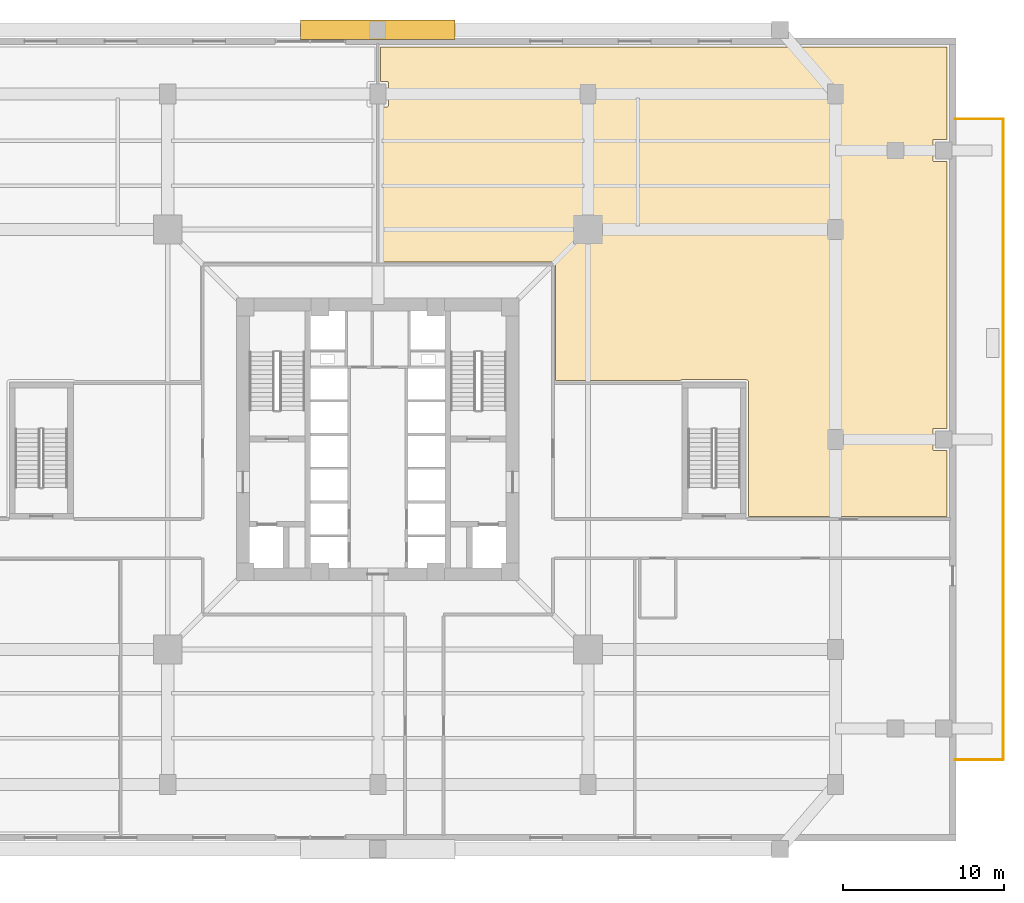
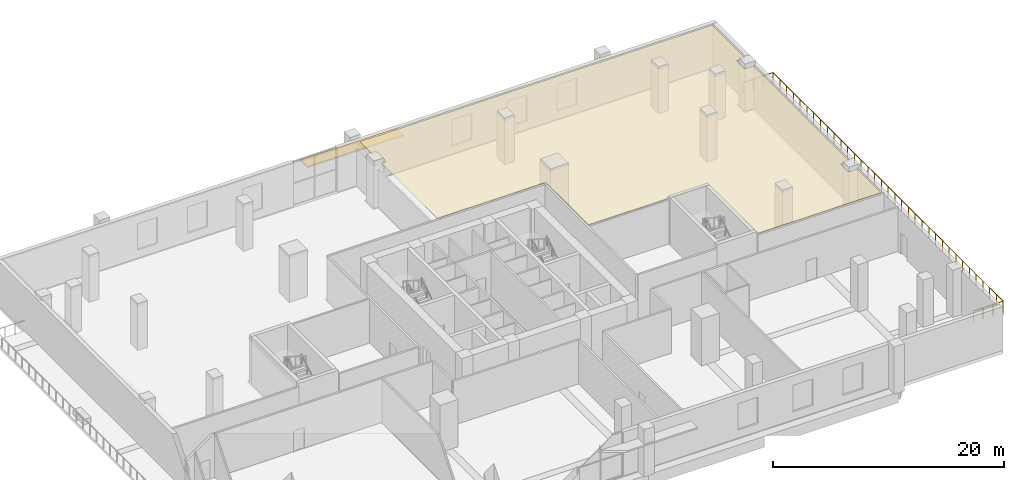
# One storey, part 15 of 15: 3 railings, 1 covering, 1 shading device.
"""IFC4 building model written with IfcOpenShell, lengths in metres."""

from ifc_helpers import new_model, si_unit, direction, frame, origin, origin_2d, place, context, subcontext, project, spatial, polyline, rectangle, circle, outline, extrude, source, transform, mapped, material, layer, layer_set, type_object, element, save


model = new_model("IFC4")

# Units and contexts
model_context = context("Model", 3, precision=1e-05, world=origin(), true_north=direction((0.0, 1.0)))
body_context = subcontext(model_context, "Body", "Model", "MODEL_VIEW")
ifc_project = project(units=[si_unit("LENGTHUNIT", "METRE"), si_unit("AREAUNIT", "SQUARE_METRE"), si_unit("VOLUMEUNIT", "CUBIC_METRE"), si_unit("PLANEANGLEUNIT", "RADIAN"), si_unit("MASSUNIT", "GRAM", prefix="KILO"), si_unit("THERMODYNAMICTEMPERATUREUNIT", "KELVIN")], contexts=[model_context])

# Site, building, storey
site_placement = place(None, origin())
site = spatial("IfcSite", under=ifc_project, at=site_placement, CompositionType="ELEMENT")
building_placement = place(site_placement, origin())
building = spatial("IfcBuilding", under=site, at=building_placement, Name="Kosmvard Interchange Tower", CompositionType="ELEMENT")
storey_placement = place(building_placement, frame((0.0, 0.0, 11.0)))
storey = spatial("IfcBuildingStorey", under=building, at=storey_placement, Name="L02", CompositionType="ELEMENT", Elevation=11.0)

# Covering
ifc_material_1 = material(Name="Acoustic gypsum ceiling tile")
ifc_layer_1 = layer(ifc_material_1, 0.02490234375, Name="Acoustic gypsum ceiling tile")
ifc_layer_set_1 = layer_set([ifc_layer_1], Name="Acoustic gypsum ceiling tile")
covering_type = type_object("IfcCoveringType", Name="Acoustic Perforated Suspended Ceiling 25", PredefinedType="CEILING", material=ifc_layer_set_1)
covering_placement = place(storey_placement, frame((0.0, 0.0, 4.635009765625)))
element("IfcCovering", 1, at=covering_placement, inside=storey, type_object=covering_type, Name="L02 Acoustic Ceiling L02-LNGP", PredefinedType="CEILING", context=body_context, shape_type="SweptSolid", body=[
    extrude(outline(polyline([(18.841796875, 3.659912109375), (18.8427734375, 3.661376953125), (18.84765625, 3.666748046875), (18.853271484375, 3.67236328125), (18.858642578125, 3.67724609375), (18.86474609375, 3.68212890625), (18.87060546875, 3.6865234375), (18.877197265625, 3.69091796875), (18.883544921875, 3.69482421875), (18.890380859375, 3.698486328125), (18.89697265625, 3.70166015625), (18.904296875, 3.70458984375), (18.911376953125, 3.70703125), (18.918701171875, 3.70947265625), (18.926025390625, 3.711181640625), (18.93359375, 3.712646484375), (18.94091796875, 3.7138671875), (18.94873046875, 3.714599609375), (18.9560546875, 3.71484375), (18.9599609375, 3.715087890625), (22.93994140625, 3.715087890625), (22.94384765625, 3.71484375), (22.951171875, 3.714599609375), (22.958984375, 3.7138671875), (22.96630859375, 3.712646484375), (22.97412109375, 3.711181640625), (22.981201171875, 3.70947265625), (22.98876953125, 3.70703125), (22.99560546875, 3.70458984375), (23.0029296875, 3.70166015625), (23.009521484375, 3.698486328125), (23.016357421875, 3.69482421875), (23.022705078125, 3.69091796875), (23.029296875, 3.6865234375), (23.03515625, 3.68212890625), (23.041259765625, 3.67724609375), (23.046875, 3.67236328125), (23.05224609375, 3.666748046875), (23.05712890625, 3.661376953125), (23.062255859375, 3.6552734375), (23.066650390625, 3.6494140625), (23.071044921875, 3.642822265625), (23.07470703125, 3.636474609375), (23.078369140625, 3.629638671875), (23.08154296875, 3.623046875), (23.084716796875, 3.61572265625), (23.087158203125, 3.608642578125), (23.08935546875, 3.601318359375), (23.091064453125, 3.593994140625), (23.0927734375, 3.58642578125), (23.09375, 3.5791015625), (23.094482421875, 3.5712890625), (23.094970703125, 3.56396484375), (23.094970703125, 3.56005859375), (23.094970703125, -4.804931640625), (35.445068359375, -4.804931640625), (35.445068359375, -0.68505859375), (34.64501953125, -0.68505859375), (34.63720703125, -0.6845703125), (34.62939453125, -0.683349609375), (34.621826171875, -0.681640625), (34.614501953125, -0.678955078125), (34.607177734375, -0.675537109375), (34.6005859375, -0.671630859375), (34.59423828125, -0.666748046875), (34.58837890625, -0.66162109375), (34.583251953125, -0.65576171875), (34.578369140625, -0.6494140625), (34.574462890625, -0.642822265625), (34.571044921875, -0.635498046875), (34.568359375, -0.628173828125), (34.566650390625, -0.62060546875), (34.5654296875, -0.61279296875), (34.56494140625, -0.60498046875), (34.56494140625, 0.60498046875), (34.5654296875, 0.61279296875), (34.566650390625, 0.62060546875), (34.568359375, 0.628173828125), (34.571044921875, 0.635498046875), (34.574462890625, 0.642822265625), (34.578369140625, 0.6494140625), (34.583251953125, 0.65576171875), (34.58837890625, 0.66162109375), (34.59423828125, 0.666748046875), (34.6005859375, 0.671630859375), (34.607177734375, 0.675537109375), (34.614501953125, 0.678955078125), (34.621826171875, 0.681640625), (34.62939453125, 0.683349609375), (34.63720703125, 0.6845703125), (34.64501953125, 0.68505859375), (35.445068359375, 0.68505859375), (35.445068359375, 17.31494140625), (34.64501953125, 17.31494140625), (34.63720703125, 17.3154296875), (34.62939453125, 17.316650390625), (34.621826171875, 17.318359375), (34.614501953125, 17.321044921875), (34.607177734375, 17.324462890625), (34.6005859375, 17.328369140625), (34.59423828125, 17.333251953125), (34.58837890625, 17.33837890625), (34.583251953125, 17.34423828125), (34.578369140625, 17.3505859375), (34.574462890625, 17.357177734375), (34.571044921875, 17.364501953125), (34.568359375, 17.371826171875), (34.566650390625, 17.37939453125), (34.5654296875, 17.38720703125), (34.56494140625, 17.39501953125), (34.56494140625, 18.60498046875), (34.5654296875, 18.61279296875), (34.566650390625, 18.62060546875), (34.568359375, 18.628173828125), (34.571044921875, 18.635498046875), (34.574462890625, 18.642822265625), (34.578369140625, 18.6494140625), (34.583251953125, 18.65576171875), (34.58837890625, 18.66162109375), (34.59423828125, 18.666748046875), (34.6005859375, 18.671630859375), (34.607177734375, 18.675537109375), (34.614501953125, 18.678955078125), (34.621826171875, 18.681640625), (34.62939453125, 18.683349609375), (34.63720703125, 18.6845703125), (34.64501953125, 18.68505859375), (35.445068359375, 18.68505859375), (35.445068359375, 24.445068359375), (0.159912109375, 24.445068359375), (0.159912109375, 22.284912109375), (0.580078125, 22.284912109375), (0.587890625, 22.28466796875), (0.595703125, 22.283447265625), (0.603271484375, 22.281494140625), (0.610595703125, 22.27880859375), (0.61767578125, 22.275634765625), (0.62451171875, 22.271484375), (0.630859375, 22.266845703125), (0.636474609375, 22.261474609375), (0.641845703125, 22.255859375), (0.646484375, 22.24951171875), (0.650634765625, 22.24267578125), (0.65380859375, 22.235595703125), (0.656494140625, 22.228271484375), (0.658447265625, 22.220703125), (0.65966796875, 22.212890625), (0.659912109375, 22.205078125), (0.659912109375, 20.794921875), (0.65966796875, 20.787109375), (0.658447265625, 20.779296875), (0.656494140625, 20.771728515625), (0.65380859375, 20.764404296875), (0.650634765625, 20.75732421875), (0.646484375, 20.75048828125), (0.641845703125, 20.744140625), (0.636474609375, 20.738525390625), (0.630859375, 20.733154296875), (0.62451171875, 20.728515625), (0.61767578125, 20.724365234375), (0.610595703125, 20.72119140625), (0.603271484375, 20.718505859375), (0.595703125, 20.716552734375), (0.587890625, 20.71533203125), (0.580078125, 20.715087890625), (0.159912109375, 20.715087890625), (0.159912109375, 11.054931640625), (10.89990234375, 11.054931640625), (10.90380859375, 11.054931640625), (10.911376953125, 11.054443359375), (10.919189453125, 11.0537109375), (10.92626953125, 11.052734375), (10.93408203125, 11.05126953125), (10.941162109375, 11.04931640625), (10.94873046875, 11.047119140625), (10.95556640625, 11.044677734375), (10.962890625, 11.04150390625), (10.969482421875, 11.038330078125), (10.976318359375, 11.034912109375), (10.982666015625, 11.031005859375), (10.9892578125, 11.026611328125), (10.9951171875, 11.022216796875), (11.00146484375, 11.01708984375), (11.0068359375, 11.01220703125), (11.01220703125, 11.0068359375), (11.01708984375, 11.00146484375), (11.022216796875, 10.9951171875), (11.026611328125, 10.9892578125), (11.031005859375, 10.982666015625), (11.034912109375, 10.976318359375), (11.038330078125, 10.969482421875), (11.04150390625, 10.962890625), (11.044677734375, 10.95556640625), (11.047119140625, 10.94873046875), (11.04931640625, 10.941162109375), (11.05126953125, 10.93408203125), (11.052734375, 10.92626953125), (11.0537109375, 10.919189453125), (11.054443359375, 10.911376953125), (11.054931640625, 10.90380859375), (11.054931640625, 10.89990234375), (11.054931640625, 3.659912109375), (18.841796875, 3.659912109375)])), origin(), (0.0, 0.0, 1.0), 0.02490234375),
])

# Railings
ifc_material_2 = material(Name="Steel S355", Category="steel")
railing_type = type_object("IfcRailingType", Name="Observation & Balcony Glass-Infill Balustrade 1150", PredefinedType="BALUSTRADE", material=ifc_material_2)
shared_shape_1 = source(origin(), body_context, "Body", "SweptSolid", [
    extrude(circle(Radius=0.02392578125, at=origin_2d()), frame((0.0, 0.0, 1.1259765625), z_axis=(-1.0, 0.0, 0.0), x_axis=(0.0, -1.0, 0.0)), (0.0, 0.0, 1.0), 3.0),
    extrude(circle(Radius=0.02099609375, at=origin_2d()), origin(), (0.0, 0.0, 1.0), 1.101806640625),
    extrude(circle(Radius=0.02099609375, at=origin_2d()), frame((-1.0, 0.0, 0.0)), (0.0, 0.0, 1.0), 1.101806640625),
    extrude(circle(Radius=0.02099609375, at=origin_2d()), frame((-2.0, 0.0, 0.0)), (0.0, 0.0, 1.0), 1.101806640625),
    extrude(circle(Radius=0.02099609375, at=origin_2d()), frame((-3.0, 0.0, 0.0)), (0.0, 0.0, 1.0), 1.101806640625),
])
railing_1_placement = place(storey_placement, frame((38.949951171875, 19.949951171875, 0.0)))
element("IfcRailing", 2, at=railing_1_placement, inside=storey, type_object=railing_type, Name="L02 Outdoor Terrace Guard TER-L02-E-C", PredefinedType="BALUSTRADE", context=body_context, shape_type="MappedRepresentation", body=[
    mapped(shared_shape_1, transform((0.0, 0.0, 0.0), scale=1.0)),
])
shared_shape_2 = source(origin(), body_context, "Body", "SweptSolid", [
    extrude(circle(Radius=0.02392578125, at=origin_2d()), frame((0.0, 0.0, 1.1259765625), z_axis=(1.0, 0.0, 0.0), x_axis=(0.0, 1.0, 0.0)), (0.0, 0.0, 1.0), 3.0),
    extrude(circle(Radius=0.02099609375, at=origin_2d()), origin(), (0.0, 0.0, 1.0), 1.101806640625),
    extrude(circle(Radius=0.02099609375, at=origin_2d()), frame((1.0, 0.0, 0.0)), (0.0, 0.0, 1.0), 1.101806640625),
    extrude(circle(Radius=0.02099609375, at=origin_2d()), frame((2.0, 0.0, 0.0)), (0.0, 0.0, 1.0), 1.101806640625),
    extrude(circle(Radius=0.02099609375, at=origin_2d()), frame((3.0, 0.0, 0.0)), (0.0, 0.0, 1.0), 1.101806640625),
])
railing_2_placement = place(storey_placement, frame((35.949951171875, -19.949951171875, 0.0)))
element("IfcRailing", 3, at=railing_2_placement, inside=storey, type_object=railing_type, Name="L02 Outdoor Terrace Guard TER-L02-E-A", PredefinedType="BALUSTRADE", context=body_context, shape_type="MappedRepresentation", body=[
    mapped(shared_shape_2, transform((0.0, 0.0, 0.0), scale=1.0)),
])

# Shading device
ifc_material_3 = material(Name="Solar bronze aluminium", Category="aluminium")
ifc_layer_2 = layer(ifc_material_3, 0.139892578125, Name="Solar bronze aluminium")
ifc_layer_set_2 = layer_set([ifc_layer_2], Name="Solar bronze aluminium")
shading_device_type = type_object("IfcShadingDeviceType", Name="Podium Entrance Horizontal Brise-Soleil Sunshade 1200", PredefinedType="USERDEFINED", material=ifc_layer_set_2)
shared_shape_3 = source(origin(), body_context, "Body", "SweptSolid", [
    extrude(rectangle(XDim=9.60009765625, YDim=1.199951171875, at=origin_2d()), origin(), (0.0, 0.0, 1.0), 0.139892578125),
])
shading_device_placement = place(storey_placement, frame((0.0, 25.52001953125, 3.330078125), z_axis=(0.0, 0.0, 1.0), x_axis=(1.0, 0.0, 0.0)))
element("IfcShadingDevice", 4, at=shading_device_placement, inside=storey, type_object=shading_device_type, Name="L02 Horizontal Brise-Soleil Sunshade N", ObjectType="SUNSHADE", PredefinedType="USERDEFINED", context=body_context, shape_type="MappedRepresentation", body=[
    mapped(shared_shape_3, transform((0.0, 0.0, 0.0), scale=1.0)),
])

# Railing
shared_shape_4 = source(origin(), body_context, "Body", "SweptSolid", [
    extrude(circle(Radius=0.02392578125, at=origin_2d()), frame((0.0, 0.0, 1.1259765625), z_axis=(0.0, 1.0, 0.0), x_axis=(-1.0, 0.0, 0.0)), (0.0, 0.0, 1.0), 39.89990234375),
    extrude(circle(Radius=0.02099609375, at=origin_2d()), origin(), (0.0, 0.0, 1.0), 1.101806640625),
    extrude(circle(Radius=0.02099609375, at=origin_2d()), frame((0.0, 1.173583984375, 0.0)), (0.0, 0.0, 1.0), 1.101806640625),
    extrude(circle(Radius=0.02099609375, at=origin_2d()), frame((0.0, 2.34716796875, 0.0)), (0.0, 0.0, 1.0), 1.101806640625),
    extrude(circle(Radius=0.02099609375, at=origin_2d()), frame((0.0, 3.5205078125, 0.0)), (0.0, 0.0, 1.0), 1.101806640625),
    extrude(circle(Radius=0.02099609375, at=origin_2d()), frame((0.0, 4.694091796875, 0.0)), (0.0, 0.0, 1.0), 1.101806640625),
    extrude(circle(Radius=0.02099609375, at=origin_2d()), frame((0.0, 5.86767578125, 0.0)), (0.0, 0.0, 1.0), 1.101806640625),
    extrude(circle(Radius=0.02099609375, at=origin_2d()), frame((0.0, 7.041259765625, 0.0)), (0.0, 0.0, 1.0), 1.101806640625),
    extrude(circle(Radius=0.02099609375, at=origin_2d()), frame((0.0, 8.214599609375, 0.0)), (0.0, 0.0, 1.0), 1.101806640625),
    extrude(circle(Radius=0.02099609375, at=origin_2d()), frame((0.0, 9.38818359375, 0.0)), (0.0, 0.0, 1.0), 1.101806640625),
    extrude(circle(Radius=0.02099609375, at=origin_2d()), frame((0.0, 10.561767578125, 0.0)), (0.0, 0.0, 1.0), 1.101806640625),
    extrude(circle(Radius=0.02099609375, at=origin_2d()), frame((0.0, 11.7353515625, 0.0)), (0.0, 0.0, 1.0), 1.101806640625),
    extrude(circle(Radius=0.02099609375, at=origin_2d()), frame((0.0, 12.90869140625, 0.0)), (0.0, 0.0, 1.0), 1.101806640625),
    extrude(circle(Radius=0.02099609375, at=origin_2d()), frame((0.0, 14.082275390625, 0.0)), (0.0, 0.0, 1.0), 1.101806640625),
    extrude(circle(Radius=0.02099609375, at=origin_2d()), frame((0.0, 15.255859375, 0.0)), (0.0, 0.0, 1.0), 1.101806640625),
    extrude(circle(Radius=0.02099609375, at=origin_2d()), frame((0.0, 16.429443359375, 0.0)), (0.0, 0.0, 1.0), 1.101806640625),
    extrude(circle(Radius=0.02099609375, at=origin_2d()), frame((0.0, 17.602783203125, 0.0)), (0.0, 0.0, 1.0), 1.101806640625),
    extrude(circle(Radius=0.02099609375, at=origin_2d()), frame((0.0, 18.7763671875, 0.0)), (0.0, 0.0, 1.0), 1.101806640625),
    extrude(circle(Radius=0.02099609375, at=origin_2d()), frame((0.0, 19.949951171875, 0.0)), (0.0, 0.0, 1.0), 1.101806640625),
    extrude(circle(Radius=0.02099609375, at=origin_2d()), frame((0.0, 21.12353515625, 0.0)), (0.0, 0.0, 1.0), 1.101806640625),
    extrude(circle(Radius=0.02099609375, at=origin_2d()), frame((0.0, 22.297119140625, 0.0)), (0.0, 0.0, 1.0), 1.101806640625),
    extrude(circle(Radius=0.02099609375, at=origin_2d()), frame((0.0, 23.470458984375, 0.0)), (0.0, 0.0, 1.0), 1.101806640625),
    extrude(circle(Radius=0.02099609375, at=origin_2d()), frame((0.0, 24.64404296875, 0.0)), (0.0, 0.0, 1.0), 1.101806640625),
    extrude(circle(Radius=0.02099609375, at=origin_2d()), frame((0.0, 25.817626953125, 0.0)), (0.0, 0.0, 1.0), 1.101806640625),
    extrude(circle(Radius=0.02099609375, at=origin_2d()), frame((0.0, 26.9912109375, 0.0)), (0.0, 0.0, 1.0), 1.101806640625),
    extrude(circle(Radius=0.02099609375, at=origin_2d()), frame((0.0, 28.16455078125, 0.0)), (0.0, 0.0, 1.0), 1.101806640625),
    extrude(circle(Radius=0.02099609375, at=origin_2d()), frame((0.0, 29.338134765625, 0.0)), (0.0, 0.0, 1.0), 1.101806640625),
    extrude(circle(Radius=0.02099609375, at=origin_2d()), frame((0.0, 30.51171875, 0.0)), (0.0, 0.0, 1.0), 1.101806640625),
    extrude(circle(Radius=0.02099609375, at=origin_2d()), frame((0.0, 31.685302734375, 0.0)), (0.0, 0.0, 1.0), 1.101806640625),
    extrude(circle(Radius=0.02099609375, at=origin_2d()), frame((0.0, 32.858642578125, 0.0)), (0.0, 0.0, 1.0), 1.101806640625),
    extrude(circle(Radius=0.02099609375, at=origin_2d()), frame((0.0, 34.0322265625, 0.0)), (0.0, 0.0, 1.0), 1.101806640625),
    extrude(circle(Radius=0.02099609375, at=origin_2d()), frame((0.0, 35.205810546875, 0.0)), (0.0, 0.0, 1.0), 1.101806640625),
    extrude(circle(Radius=0.02099609375, at=origin_2d()), frame((0.0, 36.37939453125, 0.0)), (0.0, 0.0, 1.0), 1.101806640625),
    extrude(circle(Radius=0.02099609375, at=origin_2d()), frame((0.0, 37.552734375, 0.0)), (0.0, 0.0, 1.0), 1.101806640625),
    extrude(circle(Radius=0.02099609375, at=origin_2d()), frame((0.0, 38.726318359375, 0.0)), (0.0, 0.0, 1.0), 1.101806640625),
    extrude(circle(Radius=0.02099609375, at=origin_2d()), frame((0.0, 39.89990234375, 0.0)), (0.0, 0.0, 1.0), 1.101806640625),
])
railing_3_placement = place(storey_placement, frame((38.949951171875, -19.949951171875, 0.0)))
element("IfcRailing", 5, at=railing_3_placement, inside=storey, type_object=railing_type, Name="L02 Outdoor Terrace Guard TER-L02-E-B", PredefinedType="BALUSTRADE", context=body_context, shape_type="MappedRepresentation", body=[
    mapped(shared_shape_4, transform((0.0, 0.0, 0.0), scale=1.0)),
])

save(model, "model.ifc")
